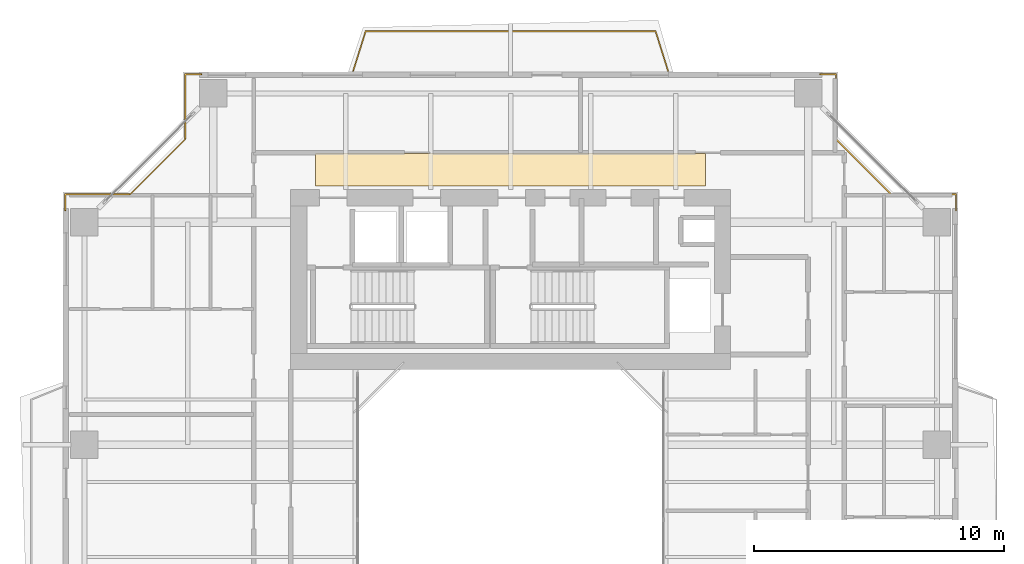
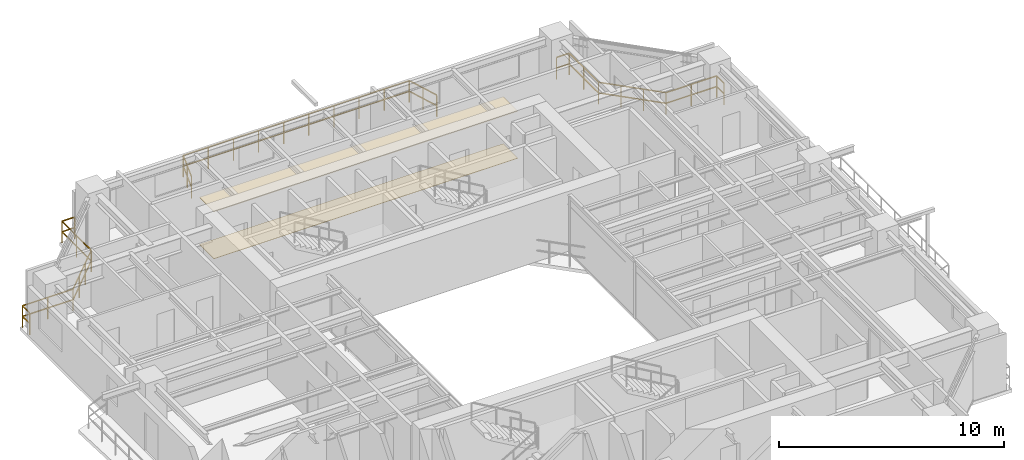
# One storey, part 17 of 17: 3 railings, 2 coverings.
"""IFC4 building model written with IfcOpenShell, lengths in metres."""

from ifc_helpers import new_model, si_unit, direction, frame, origin, origin_2d, place, context, subcontext, project, spatial, polyline, rectangle, outline, extrude, material, layer, layer_set, type_object, element, save


model = new_model("IFC4")

# Units and contexts
model_context = context("Model", 3, precision=1e-05, world=origin(), true_north=direction((0.0, 1.0)))
body_context = subcontext(model_context, "Body", "Model", "MODEL_VIEW")
ifc_project = project(units=[si_unit("LENGTHUNIT", "METRE"), si_unit("AREAUNIT", "SQUARE_METRE"), si_unit("VOLUMEUNIT", "CUBIC_METRE"), si_unit("PLANEANGLEUNIT", "RADIAN"), si_unit("MASSUNIT", "GRAM", prefix="KILO"), si_unit("THERMODYNAMICTEMPERATUREUNIT", "KELVIN"), si_unit("POWERUNIT", "WATT")], contexts=[model_context])

# Site, building, storey
site_placement = place(None, origin())
site = spatial("IfcSite", under=ifc_project, at=site_placement, CompositionType="ELEMENT")
building_placement = place(site_placement, origin())
building = spatial("IfcBuilding", under=site, at=building_placement, Name="Qiaomeng Ring Towers", CompositionType="ELEMENT")
storey_placement = place(building_placement, frame((0.0, 0.0, 126.25)))
storey = spatial("IfcBuildingStorey", under=building, at=storey_placement, Name="L36", CompositionType="ELEMENT", Elevation=126.25)

# Coverings
ifc_material_1 = material(Name="Mineral fibre acoustic ceiling tile", Category="gypsum")
ifc_layer_1 = layer(ifc_material_1, 0.02490234375, Name="Mineral fibre acoustic ceiling tile")
ifc_layer_set_1 = layer_set([ifc_layer_1], Name="Mineral fibre acoustic ceiling tile")
covering_type_1 = type_object("IfcCoveringType", Name="ARC-COV-CEIL1", PredefinedType="CEILING", material=ifc_layer_set_1)
covering_1_placement = place(storey_placement, frame((0.0, 0.0, 2.550048828125)))
element("IfcCovering", 1, at=covering_1_placement, inside=storey, type_object=covering_type_1, Name="L36 Corridor Acoustic Ceiling", PredefinedType="CEILING", context=body_context, shape_type="SweptSolid", body=[
    extrude(outline(polyline([(11.199951171875, 36.35009765625), (11.199951171875, 37.64990234375), (26.800048828125, 37.64990234375), (26.800048828125, 36.35009765625), (11.199951171875, 36.35009765625)])), origin(), (0.0, 0.0, 1.0), 0.02490234375),
])
ifc_material_2 = material(Name="Vitrified porcelain floor tile", Category="ceramic")
ifc_layer_2 = layer(ifc_material_2, 0.02001953125, Name="Vitrified porcelain floor tile")
ifc_layer_set_2 = layer_set([ifc_layer_2], Name="Vitrified porcelain floor tile")
covering_type_2 = type_object("IfcCoveringType", Name="ARC-COV-FLR1", PredefinedType="FLOORING", material=ifc_layer_set_2)
covering_2_placement = place(storey_placement, origin())
element("IfcCovering", 2, at=covering_2_placement, inside=storey, type_object=covering_type_2, Name="L36 Corridor Stone Flooring", PredefinedType="FLOORING", context=body_context, shape_type="SweptSolid", body=[
    extrude(outline(polyline([(11.199951171875, 36.35009765625), (11.199951171875, 37.64990234375), (26.800048828125, 37.64990234375), (26.800048828125, 36.35009765625), (11.199951171875, 36.35009765625)])), origin(), (0.0, 0.0, 1.0), 0.02001953125),
])

# Railings
ifc_material_3 = material(Name="Low-E pale-green laminated safety glass", Category="glass")
railing_type = type_object("IfcRailingType", Name="ARC-RL-BAL1", PredefinedType="BALUSTRADE", material=ifc_material_3)
railing_1_placement = place(storey_placement, frame((36.820068359375, 35.3701171875, 0.0)))
element("IfcRailing", 3, at=railing_1_placement, inside=storey, type_object=railing_type, Name="L36 Balustrade ARC-BAL-NOTCH1-L36-NE", PredefinedType="BALUSTRADE", context=body_context, shape_type="SweptSolid", body=[
    extrude(rectangle(XDim=0.048095703125, YDim=0.048095703125, at=origin_2d()), frame((0.0, 0.0, 1.17578125), z_axis=(0.0, 1.0, 0.0), x_axis=(-1.0, 0.0, 0.0)), (0.0, 0.0, 1.0), 0.64990234375),
    extrude(rectangle(XDim=0.048095703125, YDim=0.048095703125, at=origin_2d()), frame((0.0, 0.0, 0.60009765625), z_axis=(0.0, 1.0, 0.0), x_axis=(-1.0, 0.0, 0.0)), (0.0, 0.0, 1.0), 0.64990234375),
    extrude(rectangle(XDim=0.048095703125, YDim=0.048095703125, at=origin_2d()), frame((0.0, 0.64990234375, 1.17578125), z_axis=(-1.0, 0.0, 0.0), x_axis=(0.0, -1.0, 0.0)), (0.0, 0.0, 1.0), 2.60009765625),
    extrude(rectangle(XDim=0.048095703125, YDim=0.048095703125, at=origin_2d()), frame((0.0, 0.64990234375, 0.60009765625), z_axis=(-1.0, 0.0, 0.0), x_axis=(0.0, -1.0, 0.0)), (0.0, 0.0, 1.0), 2.60009765625),
    extrude(rectangle(XDim=0.048095703125, YDim=0.048095703125, at=origin_2d()), frame((-2.60009765625, 0.64990234375, 1.17578125), z_axis=(-0.707106781187, 0.707106781187, 0.0), x_axis=(-0.707106781187, -0.707106781187, 0.0)), (0.0, 0.0, 1.0), 3.111083984375),
    extrude(rectangle(XDim=0.048095703125, YDim=0.048095703125, at=origin_2d()), frame((-2.60009765625, 0.64990234375, 0.60009765625), z_axis=(-0.707106781187, 0.707106781187, 0.0), x_axis=(-0.707106781187, -0.707106781187, 0.0)), (0.0, 0.0, 1.0), 3.111083984375),
    extrude(rectangle(XDim=0.048095703125, YDim=0.048095703125, at=origin_2d()), frame((-4.800048828125, 2.849853515625, 1.17578125), z_axis=(0.0, 1.0, 0.0), x_axis=(-1.0, 0.0, 0.0)), (0.0, 0.0, 1.0), 2.60009765625),
    extrude(rectangle(XDim=0.048095703125, YDim=0.048095703125, at=origin_2d()), frame((-4.800048828125, 2.849853515625, 0.60009765625), z_axis=(0.0, 1.0, 0.0), x_axis=(-1.0, 0.0, 0.0)), (0.0, 0.0, 1.0), 2.60009765625),
    extrude(rectangle(XDim=0.048095703125, YDim=0.048095703125, at=origin_2d()), frame((-4.800048828125, 5.449951171875, 1.17578125), z_axis=(-1.0, 0.0, 0.0), x_axis=(0.0, -1.0, 0.0)), (0.0, 0.0, 1.0), 0.64990234375),
    extrude(rectangle(XDim=0.048095703125, YDim=0.048095703125, at=origin_2d()), frame((-4.800048828125, 5.449951171875, 0.60009765625), z_axis=(-1.0, 0.0, 0.0), x_axis=(0.0, -1.0, 0.0)), (0.0, 0.0, 1.0), 0.64990234375),
    extrude(rectangle(XDim=0.0419921875, YDim=0.0419921875, at=origin_2d()), origin(), (0.0, 0.0, 1.0), 1.15185546875),
    extrude(rectangle(XDim=0.0419921875, YDim=0.0419921875, at=origin_2d()), frame((0.0, 0.64990234375, 0.0)), (0.0, 0.0, 1.0), 1.15185546875),
    extrude(rectangle(XDim=0.0419921875, YDim=0.0419921875, at=origin_2d()), frame((-1.300048828125, 0.64990234375, 0.0)), (0.0, 0.0, 1.0), 1.15185546875),
    extrude(rectangle(XDim=0.0419921875, YDim=0.0419921875, at=origin_2d()), frame((-2.60009765625, 0.64990234375, 0.0)), (0.0, 0.0, 1.0), 1.15185546875),
    extrude(rectangle(XDim=0.0419921875, YDim=0.0419921875, at=origin_2d()), frame((-3.33349609375, 1.38330078125, 0.0)), (0.0, 0.0, 1.0), 1.15185546875),
    extrude(rectangle(XDim=0.0419921875, YDim=0.0419921875, at=origin_2d()), frame((-4.066650390625, 2.116455078125, 0.0)), (0.0, 0.0, 1.0), 1.15185546875),
    extrude(rectangle(XDim=0.0419921875, YDim=0.0419921875, at=origin_2d()), frame((-4.800048828125, 2.849853515625, 0.0)), (0.0, 0.0, 1.0), 1.15185546875),
    extrude(rectangle(XDim=0.0419921875, YDim=0.0419921875, at=origin_2d()), frame((-4.800048828125, 4.14990234375, 0.0)), (0.0, 0.0, 1.0), 1.15185546875),
    extrude(rectangle(XDim=0.0419921875, YDim=0.0419921875, at=origin_2d()), frame((-4.800048828125, 5.449951171875, 0.0)), (0.0, 0.0, 1.0), 1.15185546875),
    extrude(rectangle(XDim=0.0419921875, YDim=0.0419921875, at=origin_2d()), frame((-5.449951171875, 5.449951171875, 0.0)), (0.0, 0.0, 1.0), 1.15185546875),
])
railing_2_placement = place(storey_placement, frame((6.6298828125, 40.820068359375, 0.0)))
element("IfcRailing", 4, at=railing_2_placement, inside=storey, type_object=railing_type, Name="L36 Balustrade ARC-BAL-NOTCH1-L36-NW", PredefinedType="BALUSTRADE", context=body_context, shape_type="SweptSolid", body=[
    extrude(rectangle(XDim=0.048095703125, YDim=0.048095703125, at=origin_2d()), frame((0.0, 0.0, 1.17578125), z_axis=(-1.0, 0.0, 0.0), x_axis=(0.0, -1.0, 0.0)), (0.0, 0.0, 1.0), 0.64990234375),
    extrude(rectangle(XDim=0.048095703125, YDim=0.048095703125, at=origin_2d()), frame((0.0, 0.0, 0.60009765625), z_axis=(-1.0, 0.0, 0.0), x_axis=(0.0, -1.0, 0.0)), (0.0, 0.0, 1.0), 0.64990234375),
    extrude(rectangle(XDim=0.048095703125, YDim=0.048095703125, at=origin_2d()), frame((-0.64990234375, 0.0, 1.17578125), z_axis=(0.0, -1.0, 0.0), x_axis=(1.0, 0.0, 0.0)), (0.0, 0.0, 1.0), 2.60009765625),
    extrude(rectangle(XDim=0.048095703125, YDim=0.048095703125, at=origin_2d()), frame((-0.64990234375, 0.0, 0.60009765625), z_axis=(0.0, -1.0, 0.0), x_axis=(1.0, 0.0, 0.0)), (0.0, 0.0, 1.0), 2.60009765625),
    extrude(rectangle(XDim=0.048095703125, YDim=0.048095703125, at=origin_2d()), frame((-0.64990234375, -2.60009765625, 1.17578125), z_axis=(-0.707106781187, -0.707106781187, 0.0), x_axis=(0.707106781187, -0.707106781187, 0.0)), (0.0, 0.0, 1.0), 3.111083984375),
    extrude(rectangle(XDim=0.048095703125, YDim=0.048095703125, at=origin_2d()), frame((-0.64990234375, -2.60009765625, 0.60009765625), z_axis=(-0.707106781187, -0.707106781187, 0.0), x_axis=(0.707106781187, -0.707106781187, 0.0)), (0.0, 0.0, 1.0), 3.111083984375),
    extrude(rectangle(XDim=0.048095703125, YDim=0.048095703125, at=origin_2d()), frame((-2.849853515625, -4.800048828125, 1.17578125), z_axis=(-1.0, 0.0, 0.0), x_axis=(0.0, -1.0, 0.0)), (0.0, 0.0, 1.0), 2.60009765625),
    extrude(rectangle(XDim=0.048095703125, YDim=0.048095703125, at=origin_2d()), frame((-2.849853515625, -4.800048828125, 0.60009765625), z_axis=(-1.0, 0.0, 0.0), x_axis=(0.0, -1.0, 0.0)), (0.0, 0.0, 1.0), 2.60009765625),
    extrude(rectangle(XDim=0.048095703125, YDim=0.048095703125, at=origin_2d()), frame((-5.449951171875, -4.800048828125, 1.17578125), z_axis=(0.0, -1.0, 0.0), x_axis=(1.0, 0.0, 0.0)), (0.0, 0.0, 1.0), 0.64990234375),
    extrude(rectangle(XDim=0.048095703125, YDim=0.048095703125, at=origin_2d()), frame((-5.449951171875, -4.800048828125, 0.60009765625), z_axis=(0.0, -1.0, 0.0), x_axis=(1.0, 0.0, 0.0)), (0.0, 0.0, 1.0), 0.64990234375),
    extrude(rectangle(XDim=0.0419921875, YDim=0.0419921875, at=origin_2d()), origin(), (0.0, 0.0, 1.0), 1.15185546875),
    extrude(rectangle(XDim=0.0419921875, YDim=0.0419921875, at=origin_2d()), frame((-0.64990234375, 0.0, 0.0)), (0.0, 0.0, 1.0), 1.15185546875),
    extrude(rectangle(XDim=0.0419921875, YDim=0.0419921875, at=origin_2d()), frame((-0.64990234375, -1.300048828125, 0.0)), (0.0, 0.0, 1.0), 1.15185546875),
    extrude(rectangle(XDim=0.0419921875, YDim=0.0419921875, at=origin_2d()), frame((-0.64990234375, -2.60009765625, 0.0)), (0.0, 0.0, 1.0), 1.15185546875),
    extrude(rectangle(XDim=0.0419921875, YDim=0.0419921875, at=origin_2d()), frame((-1.38330078125, -3.33349609375, 0.0)), (0.0, 0.0, 1.0), 1.15185546875),
    extrude(rectangle(XDim=0.0419921875, YDim=0.0419921875, at=origin_2d()), frame((-2.116455078125, -4.066650390625, 0.0)), (0.0, 0.0, 1.0), 1.15185546875),
    extrude(rectangle(XDim=0.0419921875, YDim=0.0419921875, at=origin_2d()), frame((-2.849853515625, -4.800048828125, 0.0)), (0.0, 0.0, 1.0), 1.15185546875),
    extrude(rectangle(XDim=0.0419921875, YDim=0.0419921875, at=origin_2d()), frame((-4.14990234375, -4.800048828125, 0.0)), (0.0, 0.0, 1.0), 1.15185546875),
    extrude(rectangle(XDim=0.0419921875, YDim=0.0419921875, at=origin_2d()), frame((-5.449951171875, -4.800048828125, 0.0)), (0.0, 0.0, 1.0), 1.15185546875),
    extrude(rectangle(XDim=0.0419921875, YDim=0.0419921875, at=origin_2d()), frame((-5.449951171875, -5.449951171875, 0.0)), (0.0, 0.0, 1.0), 1.15185546875),
])
railing_3_placement = place(storey_placement, frame((12.699951171875, 40.949951171875, 0.0)))
element("IfcRailing", 5, at=railing_3_placement, inside=storey, type_object=railing_type, Name="L36 Balustrade ARC-BAL-L36-T1-N", PredefinedType="BALUSTRADE", context=body_context, shape_type="SweptSolid", body=[
    extrude(rectangle(XDim=0.048095703125, YDim=0.048095703125, at=origin_2d()), frame((0.0, 0.0, 1.17578125), z_axis=(0.299967512283, 0.953949417723, 0.0), x_axis=(-0.953949417723, 0.299967512283, 0.0)), (0.0, 0.0, 1.0), 1.666748046875),
    extrude(rectangle(XDim=0.048095703125, YDim=0.048095703125, at=origin_2d()), frame((0.0, 0.0, 0.60009765625), z_axis=(0.299967512283, 0.953949417723, 0.0), x_axis=(-0.953949417723, 0.299967512283, 0.0)), (0.0, 0.0, 1.0), 1.666748046875),
    extrude(rectangle(XDim=0.048095703125, YDim=0.048095703125, at=origin_2d()), frame((0.5, 1.590087890625, 1.17578125), z_axis=(1.0, 0.0, 0.0), x_axis=(0.0, 1.0, 0.0)), (0.0, 0.0, 1.0), 11.60009765625),
    extrude(rectangle(XDim=0.048095703125, YDim=0.048095703125, at=origin_2d()), frame((0.5, 1.590087890625, 0.60009765625), z_axis=(1.0, 0.0, 0.0), x_axis=(0.0, 1.0, 0.0)), (0.0, 0.0, 1.0), 11.60009765625),
    extrude(rectangle(XDim=0.048095703125, YDim=0.048095703125, at=origin_2d()), frame((12.10009765625, 1.590087890625, 1.17578125), z_axis=(0.299967512283, -0.953949417723, 0.0), x_axis=(0.953949417723, 0.299967512283, 0.0)), (0.0, 0.0, 1.0), 1.666748046875),
    extrude(rectangle(XDim=0.048095703125, YDim=0.048095703125, at=origin_2d()), frame((12.10009765625, 1.590087890625, 0.60009765625), z_axis=(0.299967512283, -0.953949417723, 0.0), x_axis=(0.953949417723, 0.299967512283, 0.0)), (0.0, 0.0, 1.0), 1.666748046875),
    extrude(rectangle(XDim=0.0419921875, YDim=0.0419921875, at=origin_2d()), origin(), (0.0, 0.0, 1.0), 1.15185546875),
    extrude(rectangle(XDim=0.0419921875, YDim=0.0419921875, at=origin_2d()), frame((0.25, 0.794921875, 0.0)), (0.0, 0.0, 1.0), 1.15185546875),
    extrude(rectangle(XDim=0.0419921875, YDim=0.0419921875, at=origin_2d()), frame((0.5, 1.590087890625, 0.0)), (0.0, 0.0, 1.0), 1.15185546875),
    extrude(rectangle(XDim=0.0419921875, YDim=0.0419921875, at=origin_2d()), frame((1.788818359375, 1.590087890625, 0.0)), (0.0, 0.0, 1.0), 1.15185546875),
    extrude(rectangle(XDim=0.0419921875, YDim=0.0419921875, at=origin_2d()), frame((3.077880859375, 1.590087890625, 0.0)), (0.0, 0.0, 1.0), 1.15185546875),
    extrude(rectangle(XDim=0.0419921875, YDim=0.0419921875, at=origin_2d()), frame((4.36669921875, 1.590087890625, 0.0)), (0.0, 0.0, 1.0), 1.15185546875),
    extrude(rectangle(XDim=0.0419921875, YDim=0.0419921875, at=origin_2d()), frame((5.655517578125, 1.590087890625, 0.0)), (0.0, 0.0, 1.0), 1.15185546875),
    extrude(rectangle(XDim=0.0419921875, YDim=0.0419921875, at=origin_2d()), frame((6.944580078125, 1.590087890625, 0.0)), (0.0, 0.0, 1.0), 1.15185546875),
    extrude(rectangle(XDim=0.0419921875, YDim=0.0419921875, at=origin_2d()), frame((8.2333984375, 1.590087890625, 0.0)), (0.0, 0.0, 1.0), 1.15185546875),
    extrude(rectangle(XDim=0.0419921875, YDim=0.0419921875, at=origin_2d()), frame((9.522216796875, 1.590087890625, 0.0)), (0.0, 0.0, 1.0), 1.15185546875),
    extrude(rectangle(XDim=0.0419921875, YDim=0.0419921875, at=origin_2d()), frame((10.811279296875, 1.590087890625, 0.0)), (0.0, 0.0, 1.0), 1.15185546875),
    extrude(rectangle(XDim=0.0419921875, YDim=0.0419921875, at=origin_2d()), frame((12.10009765625, 1.590087890625, 0.0)), (0.0, 0.0, 1.0), 1.15185546875),
    extrude(rectangle(XDim=0.0419921875, YDim=0.0419921875, at=origin_2d()), frame((12.35009765625, 0.794921875, 0.0)), (0.0, 0.0, 1.0), 1.15185546875),
    extrude(rectangle(XDim=0.0419921875, YDim=0.0419921875, at=origin_2d()), frame((12.60009765625, 0.0, 0.0)), (0.0, 0.0, 1.0), 1.15185546875),
])

save(model, "model.ifc")
